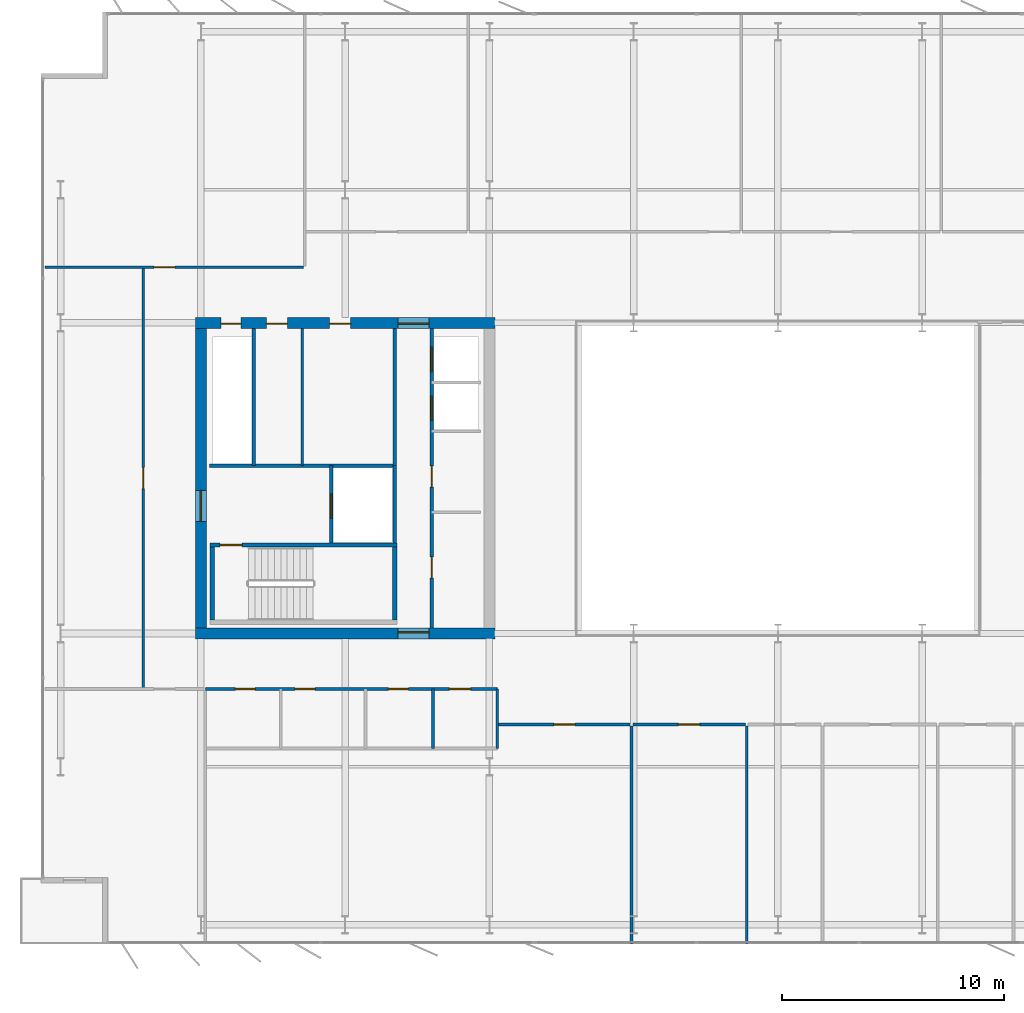
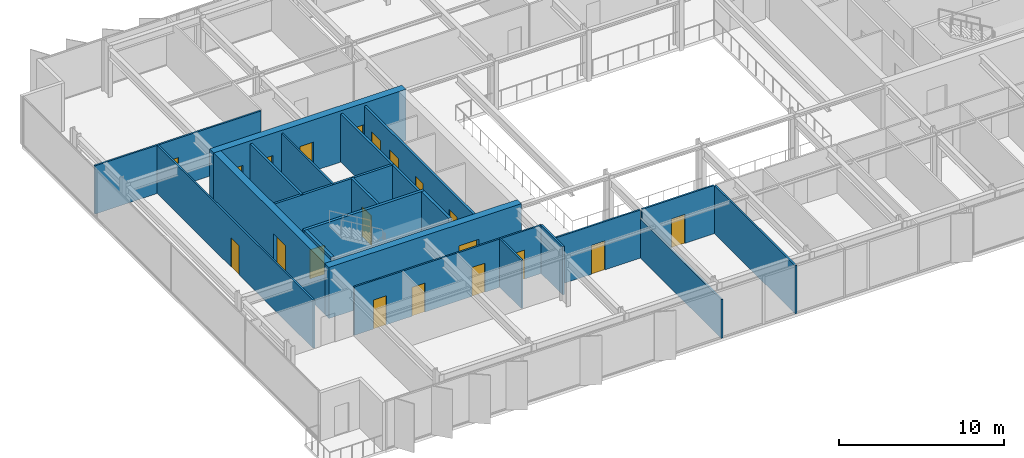
# One storey, part 17 of 24: 22 walls, 20 doors, 20 openings.
"""IFC4 building model written with IfcOpenShell, lengths in metres."""

from ifc_helpers import new_model, si_unit, direction, frame, frame_2d, origin, place, context, subcontext, project, spatial, rectangle, extrude, material, layer, layer_set, type_object, element, fill, save


model = new_model("IFC4")

# Units and contexts
model_context = context("Model", 3, precision=1e-05, world=origin(), true_north=direction((0.0, 1.0)))
body_context = subcontext(model_context, "Body", "Model", "MODEL_VIEW")
ifc_project = project(units=[si_unit("LENGTHUNIT", "METRE"), si_unit("AREAUNIT", "SQUARE_METRE"), si_unit("VOLUMEUNIT", "CUBIC_METRE"), si_unit("PLANEANGLEUNIT", "RADIAN"), si_unit("MASSUNIT", "GRAM", prefix="KILO")], contexts=[model_context])

# Site, building, storey
site_placement = place(None, origin())
site = spatial("IfcSite", under=ifc_project, at=site_placement, CompositionType="ELEMENT")
building_placement = place(site_placement, origin())
building = spatial("IfcBuilding", under=site, at=building_placement, Name="Putna Gate Headquarters", CompositionType="ELEMENT")
storey_placement = place(building_placement, frame((0.0, 0.0, 236.60009765625)))
storey = spatial("IfcBuildingStorey", under=building, at=storey_placement, Name="L59", CompositionType="ELEMENT", Elevation=236.60009765625)

# Wall, opening, door
ifc_material_1 = material(Name="Concrete C50/60", Category="concrete")
ifc_layer_1 = layer(ifc_material_1, 0.5)
ifc_layer_set_1 = layer_set([ifc_layer_1], Name="Concrete C50/60")
wall_type_1 = type_object("IfcWallType", Name="WALL-CORE-500", PredefinedType="SHEAR", material=ifc_layer_set_1)
wall_1_placement = place(storey_placement, frame((12.75, 19.0, 0.0), z_axis=(0.0, 0.0, 1.0), x_axis=(1.0, 0.0, 0.0)))
wall_1 = element("IfcWall", 1, at=wall_1_placement, inside=storey, type_object=wall_type_1, Name="L59 WC Split Core Shear Wall S", PredefinedType="SHEAR", context=body_context, shape_type="SweptSolid", body=[
    extrude(rectangle(XDim=13.5, YDim=0.5, at=frame_2d((6.75, 0.0))), origin(), (0.0, 0.0, 1.0), 3.7998046875),
])
opening_1_placement = place(wall_1_placement, frame((9.1298828125, 0.0, 0.0)))
opening_1 = element("IfcOpeningElement", 2, at=opening_1_placement, cuts=wall_1, Name="Opening FDD-140", PredefinedType="OPENING", context=body_context, shape_type="SweptSolid", body=[
    extrude(rectangle(XDim=1.39990234375, YDim=2.199951171875, at=frame_2d((0.699951171875, 1.10009765625))), frame((0.0, 0.260009765625, 0.0), z_axis=(0.0, -1.0, 0.0), x_axis=(1.0, 0.0, 0.0)), (0.0, 0.0, 1.0), 0.52001953125),
])
ifc_material_2 = material(Name="Double steel fire door", Category="steel")
door_type_1 = type_object("IfcDoorType", Name="DOOR-FIRE-DBL-1400", OperationType="DOUBLE_DOOR_SINGLE_SWING", PredefinedType="DOOR", material=ifc_material_2)
door_1_placement = place(opening_1_placement, origin())
door_1 = element("IfcDoor", 3, at=door_1_placement, inside=storey, type_object=door_type_1, Name="L59 West Lift Lobby South Door", OperationType="DOUBLE_DOOR_SINGLE_SWING", OverallHeight=2.199951171875, OverallWidth=1.39990234375, PredefinedType="DOOR", context=body_context, shape_type="SweptSolid", body=[
    extrude(rectangle(XDim=1.39990234375, YDim=2.199951171875, at=frame_2d((0.699951171875, 1.10009765625))), frame((0.0, 0.0751953125, 0.0), z_axis=(0.0, -1.0, 0.0), x_axis=(1.0, 0.0, 0.0)), (0.0, 0.0, 1.0), 0.050048828125),
])
fill(opening_1, door_1)

# Wall, openings, doors
wall_2_placement = place(storey_placement, frame((12.75, 33.0, 0.0), z_axis=(0.0, 0.0, 1.0), x_axis=(1.0, 0.0, 0.0)))
wall_2 = element("IfcWall", 4, at=wall_2_placement, inside=storey, type_object=wall_type_1, Name="L59 WC Split Core Shear Wall N", PredefinedType="SHEAR", context=body_context, shape_type="SweptSolid", body=[
    extrude(rectangle(XDim=13.5, YDim=0.5, at=frame_2d((6.75, 0.0))), origin(), (0.0, 0.0, 1.0), 3.7998046875),
])
opening_2_placement = place(wall_2_placement, frame((1.14990234375, 0.0, 0.0)))
opening_2 = element("IfcOpeningElement", 5, at=opening_2_placement, cuts=wall_2, Name="Opening RD-90", PredefinedType="OPENING", context=body_context, shape_type="SweptSolid", body=[
    extrude(rectangle(XDim=0.89990234375, YDim=2.14990234375, at=frame_2d((0.449951171875, 1.074951171875))), frame((0.0, 0.260009765625, 0.0), z_axis=(0.0, -1.0, 0.0), x_axis=(1.0, 0.0, 0.0)), (0.0, 0.0, 1.0), 0.52001953125),
])
opening_3_placement = place(wall_2_placement, frame((3.199951171875, 0.0, 0.0)))
opening_3 = element("IfcOpeningElement", 6, at=opening_3_placement, cuts=wall_2, Name="Opening IDS-95", PredefinedType="OPENING", context=body_context, shape_type="SweptSolid", body=[
    extrude(rectangle(XDim=0.949951171875, YDim=2.14990234375, at=frame_2d((0.47509765625, 1.074951171875))), frame((0.0, 0.260009765625, 0.0), z_axis=(0.0, -1.0, 0.0), x_axis=(1.0, 0.0, 0.0)), (0.0, 0.0, 1.0), 0.52001953125),
])
opening_4_placement = place(wall_2_placement, frame((6.050048828125, 0.0, 0.0)))
opening_4 = element("IfcOpeningElement", 7, at=opening_4_placement, cuts=wall_2, Name="Opening IDS-95", PredefinedType="OPENING", context=body_context, shape_type="SweptSolid", body=[
    extrude(rectangle(XDim=0.949951171875, YDim=2.14990234375, at=frame_2d((0.47509765625, 1.074951171875))), frame((0.0, 0.260009765625, 0.0), z_axis=(0.0, -1.0, 0.0), x_axis=(1.0, 0.0, 0.0)), (0.0, 0.0, 1.0), 0.52001953125),
])
opening_5_placement = place(wall_2_placement, frame((9.1298828125, 0.0, 0.0)))
opening_5 = element("IfcOpeningElement", 8, at=opening_5_placement, cuts=wall_2, Name="Opening FDD-140", PredefinedType="OPENING", context=body_context, shape_type="SweptSolid", body=[
    extrude(rectangle(XDim=1.39990234375, YDim=2.199951171875, at=frame_2d((0.699951171875, 1.10009765625))), frame((0.0, 0.260009765625, 0.0), z_axis=(0.0, -1.0, 0.0), x_axis=(1.0, 0.0, 0.0)), (0.0, 0.0, 1.0), 0.52001953125),
])
door_2_placement = place(opening_5_placement, origin())
door_2 = element("IfcDoor", 9, at=door_2_placement, inside=storey, type_object=door_type_1, Name="L59 West Lift Lobby North Door", OperationType="DOUBLE_DOOR_SINGLE_SWING", OverallHeight=2.199951171875, OverallWidth=1.39990234375, PredefinedType="DOOR", context=body_context, shape_type="SweptSolid", body=[
    extrude(rectangle(XDim=1.39990234375, YDim=2.199951171875, at=frame_2d((0.699951171875, 1.10009765625))), frame((0.0, -0.02490234375, 0.0), z_axis=(0.0, -1.0, 0.0), x_axis=(1.0, 0.0, 0.0)), (0.0, 0.0, 1.0), 0.050048828125),
])
fill(opening_5, door_2)
ifc_material_3 = material(Name="Fire-rated service timber door", Category="wood")
door_type_2 = type_object("IfcDoorType", Name="DOOR-INT-950", OperationType="NOTDEFINED", PredefinedType="DOOR", material=ifc_material_3)
door_3_placement = place(opening_3_placement, origin())
door_3 = element("IfcDoor", 10, at=door_3_placement, inside=storey, type_object=door_type_2, Name="L59 Archive Store Door", OperationType="SINGLE_SWING_LEFT", OverallHeight=2.14990234375, OverallWidth=0.949951171875, PredefinedType="DOOR", context=body_context, shape_type="SweptSolid", body=[
    extrude(rectangle(XDim=0.949951171875, YDim=2.14990234375, at=frame_2d((0.47509765625, 1.074951171875))), frame((0.0, -0.02490234375, 0.0), z_axis=(0.0, -1.0, 0.0), x_axis=(1.0, 0.0, 0.0)), (0.0, 0.0, 1.0), 0.050048828125),
])
fill(opening_3, door_3)
door_4_placement = place(opening_4_placement, origin())
door_4 = element("IfcDoor", 11, at=door_4_placement, inside=storey, type_object=door_type_2, Name="L59 Switchgear Plant Door", OperationType="SINGLE_SWING_RIGHT", OverallHeight=2.14990234375, OverallWidth=0.949951171875, PredefinedType="DOOR", context=body_context, shape_type="SweptSolid", body=[
    extrude(rectangle(XDim=0.949951171875, YDim=2.14990234375, at=frame_2d((0.47509765625, 1.074951171875))), frame((0.0, -0.02490234375, 0.0), z_axis=(0.0, -1.0, 0.0), x_axis=(1.0, 0.0, 0.0)), (0.0, 0.0, 1.0), 0.050048828125),
])
fill(opening_4, door_4)
ifc_material_4 = material(Name="Steel riser access fire door", Category="steel")
door_type_3 = type_object("IfcDoorType", Name="DOOR-RISER-900", OperationType="NOTDEFINED", PredefinedType="DOOR", material=ifc_material_4)
door_5_placement = place(opening_2_placement, origin())
door_5 = element("IfcDoor", 12, at=door_5_placement, inside=storey, type_object=door_type_3, Name="L59 West Riser Access Door", OperationType="SINGLE_SWING_RIGHT", OverallHeight=2.14990234375, OverallWidth=0.89990234375, PredefinedType="DOOR", context=body_context, shape_type="SweptSolid", body=[
    extrude(rectangle(XDim=0.89990234375, YDim=2.14990234375, at=frame_2d((0.449951171875, 1.074951171875))), frame((0.0, -0.02490234375, 0.0), z_axis=(0.0, -1.0, 0.0), x_axis=(1.0, 0.0, 0.0)), (0.0, 0.0, 1.0), 0.050048828125),
])
fill(opening_2, door_5)

# Wall, opening, door
wall_3_placement = place(storey_placement, frame((13.0, 19.25, 0.0), z_axis=(0.0, 0.0, 1.0), x_axis=(0.0, 1.0, 0.0)))
wall_3 = element("IfcWall", 13, at=wall_3_placement, inside=storey, type_object=wall_type_1, Name="L59 WC Split Core Shear Wall W", PredefinedType="SHEAR", context=body_context, shape_type="SweptSolid", body=[
    extrude(rectangle(XDim=13.5, YDim=0.5, at=frame_2d((6.75, 0.0))), origin(), (0.0, 0.0, 1.0), 3.7998046875),
])
opening_6_placement = place(wall_3_placement, frame((4.800048828125, 0.0, 0.0)))
opening_6 = element("IfcOpeningElement", 14, at=opening_6_placement, cuts=wall_3, Name="Opening FDD-140", PredefinedType="OPENING", context=body_context, shape_type="SweptSolid", body=[
    extrude(rectangle(XDim=1.39990234375, YDim=2.199951171875, at=frame_2d((0.699951171875, 1.10009765625))), frame((0.0, 0.260009765625, 0.0), z_axis=(0.0, -1.0, 0.0), x_axis=(1.0, 0.0, 0.0)), (0.0, 0.0, 1.0), 0.52001953125),
])
door_6_placement = place(opening_6_placement, origin())
door_6 = element("IfcDoor", 15, at=door_6_placement, inside=storey, type_object=door_type_1, Name="L59 West Firefighting Lobby Door", OperationType="DOUBLE_DOOR_SINGLE_SWING", OverallHeight=2.199951171875, OverallWidth=1.39990234375, PredefinedType="DOOR", context=body_context, shape_type="SweptSolid", body=[
    extrude(rectangle(XDim=1.39990234375, YDim=2.199951171875, at=frame_2d((0.699951171875, 1.10009765625))), frame((0.0, 0.02490234375, 0.0), z_axis=(0.0, -1.0, 0.0), x_axis=(1.0, 0.0, 0.0)), (0.0, 0.0, 1.0), 0.050048828125),
])
fill(opening_6, door_6)

# Walls
ifc_material_5 = material(Name="Acoustic gypsum board on metal stud")
ifc_layer_2 = layer(ifc_material_5, 0.1201171875)
ifc_layer_set_2 = layer_set([ifc_layer_2], Name="Acoustic gypsum board on metal stud")
wall_type_2 = type_object("IfcWallType", Name="WALL-PART-120", PredefinedType="PARTITIONING", material=ifc_layer_set_2)
wall_4_placement = place(storey_placement, frame((32.39990234375, 5.02001953125, 0.0), z_axis=(0.0, 0.0, 1.0), x_axis=(0.0, 1.0, 0.0)))
element("IfcWall", 16, at=wall_4_placement, inside=storey, type_object=wall_type_2, Name="L59 Interior Wall PART-L59-SB-DIV-02", PredefinedType="PARTITIONING", context=body_context, shape_type="SweptSolid", body=[
    extrude(rectangle(XDim=9.820068359375, YDim=0.1201171875, at=frame_2d((4.91015625, 0.0))), origin(), (0.0, 0.0, 1.0), 2.8798828125),
])
wall_5_placement = place(storey_placement, frame((37.58984375, 5.02001953125, 0.0), z_axis=(0.0, 0.0, 1.0), x_axis=(0.0, 1.0, 0.0)))
element("IfcWall", 17, at=wall_5_placement, inside=storey, type_object=wall_type_2, Name="L59 Interior Wall PART-L59-SB-DIV-03", PredefinedType="PARTITIONING", context=body_context, shape_type="SweptSolid", body=[
    extrude(rectangle(XDim=9.820068359375, YDim=0.1201171875, at=frame_2d((4.91015625, 0.0))), origin(), (0.0, 0.0, 1.0), 3.579833984375),
])
ifc_material_6 = material(Name="Fire-rated gypsum board on metal stud")
ifc_layer_3 = layer(ifc_material_6, 0.1201171875)
ifc_layer_set_3 = layer_set([ifc_layer_3], Name="Fire-rated gypsum board on metal stud")
wall_type_3 = type_object("IfcWallType", Name="WALL-PART-120-RATED", PredefinedType="PARTITIONING", material=ifc_layer_set_3)
wall_6_placement = place(storey_placement, frame((17.570068359375, 26.56005859375, 0.0), z_axis=(0.0, 0.0, 1.0), x_axis=(0.0, 1.0, 0.0)))
element("IfcWall", 18, at=wall_6_placement, inside=storey, type_object=wall_type_3, Name="L59 Interior Wall CWINT-L59-WC-K1-DIV", PredefinedType="PARTITIONING", context=body_context, shape_type="SweptSolid", body=[
    extrude(rectangle(XDim=6.18994140625, YDim=0.1201171875, at=frame_2d((3.094970703125, 0.0))), origin(), (0.0, 0.0, 1.0), 3.579833984375),
])

# Wall, openings, doors
wall_7_placement = place(storey_placement, frame((13.199951171875, 16.5, 0.0), z_axis=(0.0, 0.0, 1.0), x_axis=(1.0, 0.0, 0.0)))
wall_7 = element("IfcWall", 19, at=wall_7_placement, inside=storey, type_object=wall_type_3, Name="L59 Interior Wall PART-L59-SAN-CW", PredefinedType="PARTITIONING", context=body_context, shape_type="SweptSolid", body=[
    extrude(rectangle(XDim=13.16015625, YDim=0.1201171875, at=frame_2d((6.580078125, 0.0))), origin(), (0.0, 0.0, 1.0), 3.579833984375),
])
opening_7_placement = place(wall_7_placement, frame((1.35009765625, 0.0, 0.0)))
opening_7 = element("IfcOpeningElement", 20, at=opening_7_placement, cuts=wall_7, Name="Opening FD-90", PredefinedType="OPENING", context=body_context, shape_type="SweptSolid", body=[
    extrude(rectangle(XDim=0.89990234375, YDim=2.14990234375, at=frame_2d((0.449951171875, 1.074951171875))), frame((0.0, 0.070068359375, 0.0), z_axis=(0.0, -1.0, 0.0), x_axis=(1.0, 0.0, 0.0)), (0.0, 0.0, 1.0), 0.14013671875),
])
opening_8_placement = place(wall_7_placement, frame((4.050048828125, 0.0, 0.0)))
opening_8 = element("IfcOpeningElement", 21, at=opening_8_placement, cuts=wall_7, Name="Opening FD-90", PredefinedType="OPENING", context=body_context, shape_type="SweptSolid", body=[
    extrude(rectangle(XDim=0.89990234375, YDim=2.14990234375, at=frame_2d((0.449951171875, 1.074951171875))), frame((0.0, 0.070068359375, 0.0), z_axis=(0.0, -1.0, 0.0), x_axis=(1.0, 0.0, 0.0)), (0.0, 0.0, 1.0), 0.14013671875),
])
opening_9_placement = place(wall_7_placement, frame((8.25, 0.0, 0.0)))
opening_9 = element("IfcOpeningElement", 22, at=opening_9_placement, cuts=wall_7, Name="Opening FD-90", PredefinedType="OPENING", context=body_context, shape_type="SweptSolid", body=[
    extrude(rectangle(XDim=0.89990234375, YDim=2.14990234375, at=frame_2d((0.449951171875, 1.074951171875))), frame((0.0, 0.070068359375, 0.0), z_axis=(0.0, -1.0, 0.0), x_axis=(1.0, 0.0, 0.0)), (0.0, 0.0, 1.0), 0.14013671875),
])
opening_10_placement = place(wall_7_placement, frame((11.0, 0.0, 0.0)))
opening_10 = element("IfcOpeningElement", 23, at=opening_10_placement, cuts=wall_7, Name="Opening FD-95", PredefinedType="OPENING", context=body_context, shape_type="SweptSolid", body=[
    extrude(rectangle(XDim=0.949951171875, YDim=2.14990234375, at=frame_2d((0.47509765625, 1.074951171875))), frame((0.0, 0.070068359375, 0.0), z_axis=(0.0, -1.0, 0.0), x_axis=(1.0, 0.0, 0.0)), (0.0, 0.0, 1.0), 0.14013671875),
])
ifc_material_7 = material(Name="Acoustic washroom fire door")
door_type_4 = type_object("IfcDoorType", Name="DOOR-FIRE-900", OperationType="NOTDEFINED", PredefinedType="DOOR", material=ifc_material_7)
door_7_placement = place(opening_7_placement, origin())
door_7 = element("IfcDoor", 24, at=door_7_placement, inside=storey, type_object=door_type_4, Name="L59 Washroom Male Door", OperationType="SINGLE_SWING_RIGHT", OverallHeight=2.14990234375, OverallWidth=0.89990234375, PredefinedType="DOOR", context=body_context, shape_type="SweptSolid", body=[
    extrude(rectangle(XDim=0.89990234375, YDim=2.14990234375, at=frame_2d((0.449951171875, 1.074951171875))), frame((0.0, 0.02490234375, 0.0), z_axis=(0.0, -1.0, 0.0), x_axis=(1.0, 0.0, 0.0)), (0.0, 0.0, 1.0), 0.050048828125),
])
fill(opening_7, door_7)
door_8_placement = place(opening_8_placement, origin())
door_8 = element("IfcDoor", 25, at=door_8_placement, inside=storey, type_object=door_type_4, Name="L59 Washroom Female Door", OperationType="SINGLE_SWING_LEFT", OverallHeight=2.14990234375, OverallWidth=0.89990234375, PredefinedType="DOOR", context=body_context, shape_type="SweptSolid", body=[
    extrude(rectangle(XDim=0.89990234375, YDim=2.14990234375, at=frame_2d((0.449951171875, 1.074951171875))), frame((0.0, 0.02490234375, 0.0), z_axis=(0.0, -1.0, 0.0), x_axis=(1.0, 0.0, 0.0)), (0.0, 0.0, 1.0), 0.050048828125),
])
fill(opening_8, door_8)
door_9_placement = place(opening_9_placement, origin())
door_9 = element("IfcDoor", 26, at=door_9_placement, inside=storey, type_object=door_type_4, Name="L59 Accessible WC Door", OperationType="SINGLE_SWING_RIGHT", OverallHeight=2.14990234375, OverallWidth=0.89990234375, PredefinedType="DOOR", context=body_context, shape_type="SweptSolid", body=[
    extrude(rectangle(XDim=0.89990234375, YDim=2.14990234375, at=frame_2d((0.449951171875, 1.074951171875))), frame((0.0, 0.02490234375, 0.0), z_axis=(0.0, -1.0, 0.0), x_axis=(1.0, 0.0, 0.0)), (0.0, 0.0, 1.0), 0.050048828125),
])
fill(opening_9, door_9)
ifc_material_8 = material(Name="Acoustic timber fire door", Category="wood")
door_type_5 = type_object("IfcDoorType", Name="DOOR-FIRE-950", OperationType="NOTDEFINED", PredefinedType="DOOR", material=ifc_material_8)
door_10_placement = place(opening_10_placement, origin())
door_10 = element("IfcDoor", 27, at=door_10_placement, inside=storey, type_object=door_type_5, Name="L59 Staff Pantry and Tea Point Door", OperationType="SINGLE_SWING_LEFT", OverallHeight=2.14990234375, OverallWidth=0.949951171875, PredefinedType="DOOR", context=body_context, shape_type="SweptSolid", body=[
    extrude(rectangle(XDim=0.949951171875, YDim=2.14990234375, at=frame_2d((0.47509765625, 1.074951171875))), frame((0.0, 0.02490234375, 0.0), z_axis=(0.0, -1.0, 0.0), x_axis=(1.0, 0.0, 0.0)), (0.0, 0.0, 1.0), 0.050048828125),
])
fill(opening_10, door_10)

# Walls
for number, where, z_axis, x_axis, name in (
    (28, (23.4599609375, 13.820068359375, 0.0), (0.0, 0.0, 1.0), (0.0, 1.0, 0.0), "L59 Interior Wall PART-L59-SAN-DIV-3"),
    (29, (26.360107421875, 13.820068359375, 0.0), (0.0, 0.0, 1.0), (0.0, 1.0, 0.0), "L59 Interior Wall PART-L59-SAN-DIV-4"),
):
    element("IfcWall", number, at=place(storey_placement, frame(where, z_axis=z_axis, x_axis=x_axis)), inside=storey, type_object=wall_type_3, Name=name, PredefinedType="PARTITIONING", context=body_context, shape_type="SweptSolid", body=[
        extrude(rectangle(XDim=2.679931640625, YDim=0.1201171875, at=frame_2d((1.33984375, 0.0))), origin(), (0.0, 0.0, 1.0), 3.579833984375),
    ])

# Wall, opening, door
wall_8_placement = place(storey_placement, frame((5.97998046875, 35.5, 0.0), z_axis=(0.0, 0.0, 1.0), x_axis=(1.0, 0.0, 0.0)))
wall_8 = element("IfcWall", 30, at=wall_8_placement, inside=storey, type_object=wall_type_3, Name="L59 Interior Wall PART-L59-NB-CW-01", PredefinedType="PARTITIONING", context=body_context, shape_type="SweptSolid", body=[
    extrude(rectangle(XDim=11.642333984375, YDim=0.1201171875, at=frame_2d((5.8212890625, 0.0))), origin(), (0.0, 0.0, 1.0), 3.579833984375),
])
opening_11_placement = place(wall_8_placement, frame((4.89990234375, 0.0, 0.0)))
opening_11 = element("IfcOpeningElement", 31, at=opening_11_placement, cuts=wall_8, Name="Opening FD-95", PredefinedType="OPENING", context=body_context, shape_type="SweptSolid", body=[
    extrude(rectangle(XDim=0.949951171875, YDim=2.14990234375, at=frame_2d((0.47509765625, 1.074951171875))), frame((0.0, 0.070068359375, 0.0), z_axis=(0.0, -1.0, 0.0), x_axis=(1.0, 0.0, 0.0)), (0.0, 0.0, 1.0), 0.14013671875),
])
door_11_placement = place(opening_11_placement, origin())
door_11 = element("IfcDoor", 32, at=door_11_placement, inside=storey, type_object=door_type_5, Name="L59 Cellular Office 7 Door", OperationType="SINGLE_SWING_RIGHT", OverallHeight=2.14990234375, OverallWidth=0.949951171875, PredefinedType="DOOR", context=body_context, shape_type="SweptSolid", body=[
    extrude(rectangle(XDim=0.949951171875, YDim=2.14990234375, at=frame_2d((0.47509765625, 1.074951171875))), frame((0.0, 0.02490234375, 0.0), z_axis=(0.0, -1.0, 0.0), x_axis=(1.0, 0.0, 0.0)), (0.0, 0.0, 1.0), 0.050048828125),
])
fill(opening_11, door_11)

wall_9_placement = place(storey_placement, frame((26.419921875, 14.89990234375, 0.0), z_axis=(0.0, 0.0, 1.0), x_axis=(1.0, 0.0, 0.0)))
wall_9 = element("IfcWall", 33, at=wall_9_placement, inside=storey, type_object=wall_type_3, Name="L59 Interior Wall PART-L59-SB-CW-02", PredefinedType="PARTITIONING", context=body_context, shape_type="SweptSolid", body=[
    extrude(rectangle(XDim=5.920166015625, YDim=0.1201171875, at=frame_2d((2.9599609375, 0.0))), origin(), (0.0, 0.0, 1.0), 3.579833984375),
])
opening_12_placement = place(wall_9_placement, frame((2.485107421875, 0.0, 0.0)))
opening_12 = element("IfcOpeningElement", 34, at=opening_12_placement, cuts=wall_9, Name="Opening FD-95", PredefinedType="OPENING", context=body_context, shape_type="SweptSolid", body=[
    extrude(rectangle(XDim=0.949951171875, YDim=2.14990234375, at=frame_2d((0.47509765625, 1.074951171875))), frame((0.0, 0.070068359375, 0.0), z_axis=(0.0, -1.0, 0.0), x_axis=(1.0, 0.0, 0.0)), (0.0, 0.0, 1.0), 0.14013671875),
])
door_12_placement = place(opening_12_placement, origin())
door_12 = element("IfcDoor", 35, at=door_12_placement, inside=storey, type_object=door_type_5, Name="L59 Primary Open Office Workplace Door", OperationType="SINGLE_SWING_LEFT", OverallHeight=2.14990234375, OverallWidth=0.949951171875, PredefinedType="DOOR", context=body_context, shape_type="SweptSolid", body=[
    extrude(rectangle(XDim=0.949951171875, YDim=2.14990234375, at=frame_2d((0.47509765625, 1.074951171875))), frame((0.0, 0.02490234375, 0.0), z_axis=(0.0, -1.0, 0.0), x_axis=(1.0, 0.0, 0.0)), (0.0, 0.0, 1.0), 0.050048828125),
])
fill(opening_12, door_12)

wall_10_placement = place(storey_placement, frame((32.4599609375, 14.89990234375, 0.0), z_axis=(0.0, 0.0, 1.0), x_axis=(1.0, 0.0, 0.0)))
wall_10 = element("IfcWall", 36, at=wall_10_placement, inside=storey, type_object=wall_type_3, Name="L59 Interior Wall PART-L59-SB-CW-03", PredefinedType="PARTITIONING", context=body_context, shape_type="SweptSolid", body=[
    extrude(rectangle(XDim=5.06982421875, YDim=0.1201171875, at=frame_2d((2.534912109375, 0.0))), origin(), (0.0, 0.0, 1.0), 3.579833984375),
])
opening_13_placement = place(wall_10_placement, frame((2.059814453125, 0.0, 0.0)))
opening_13 = element("IfcOpeningElement", 37, at=opening_13_placement, cuts=wall_10, Name="Opening FD-95", PredefinedType="OPENING", context=body_context, shape_type="SweptSolid", body=[
    extrude(rectangle(XDim=0.949951171875, YDim=2.14990234375, at=frame_2d((0.47509765625, 1.074951171875))), frame((0.0, 0.070068359375, 0.0), z_axis=(0.0, -1.0, 0.0), x_axis=(1.0, 0.0, 0.0)), (0.0, 0.0, 1.0), 0.14013671875),
])
door_13_placement = place(opening_13_placement, origin())
door_13 = element("IfcDoor", 38, at=door_13_placement, inside=storey, type_object=door_type_5, Name="L59 Quiet Wellness Focus Studio 1 Door", OperationType="SINGLE_SWING_RIGHT", OverallHeight=2.14990234375, OverallWidth=0.949951171875, PredefinedType="DOOR", context=body_context, shape_type="SweptSolid", body=[
    extrude(rectangle(XDim=0.949951171875, YDim=2.14990234375, at=frame_2d((0.47509765625, 1.074951171875))), frame((0.0, 0.02490234375, 0.0), z_axis=(0.0, -1.0, 0.0), x_axis=(1.0, 0.0, 0.0)), (0.0, 0.0, 1.0), 0.050048828125),
])
fill(opening_13, door_13)

wall_11_placement = place(storey_placement, frame((10.39990234375, 16.5, 0.0), z_axis=(0.0, 0.0, 1.0), x_axis=(0.0, 1.0, 0.0)))
wall_11 = element("IfcWall", 39, at=wall_11_placement, inside=storey, type_object=wall_type_3, Name="L59 Interior Wall PART-L59-WW-CW-1", PredefinedType="PARTITIONING", context=body_context, shape_type="SweptSolid", body=[
    extrude(rectangle(XDim=19.0, YDim=0.1201171875, at=frame_2d((9.5, 0.0))), origin(), (0.0, 0.0, 1.0), 3.579833984375),
])
opening_14_placement = place(wall_11_placement, frame((9.02490234375, 0.0, 0.0)))
opening_14 = element("IfcOpeningElement", 40, at=opening_14_placement, cuts=wall_11, Name="Opening FD-95", PredefinedType="OPENING", context=body_context, shape_type="SweptSolid", body=[
    extrude(rectangle(XDim=0.949951171875, YDim=2.14990234375, at=frame_2d((0.47509765625, 1.074951171875))), frame((0.0, 0.070068359375, 0.0), z_axis=(0.0, -1.0, 0.0), x_axis=(1.0, 0.0, 0.0)), (0.0, 0.0, 1.0), 0.14013671875),
])
door_14_placement = place(opening_14_placement, origin())
door_14 = element("IfcDoor", 41, at=door_14_placement, inside=storey, type_object=door_type_5, Name="L59 West Project Meeting Room 1 Door", OperationType="SINGLE_SWING_LEFT", OverallHeight=2.14990234375, OverallWidth=0.949951171875, PredefinedType="DOOR", context=body_context, shape_type="SweptSolid", body=[
    extrude(rectangle(XDim=0.949951171875, YDim=2.14990234375, at=frame_2d((0.47509765625, 1.074951171875))), frame((0.0, 0.02490234375, 0.0), z_axis=(0.0, -1.0, 0.0), x_axis=(1.0, 0.0, 0.0)), (0.0, 0.0, 1.0), 0.050048828125),
])
fill(opening_14, door_14)

# Wall
ifc_material_9 = material(Name="Concrete C40/50", Category="concrete")
ifc_layer_4 = layer(ifc_material_9, 0.159912109375)
ifc_layer_set_4 = layer_set([ifc_layer_4], Name="Concrete C40/50")
wall_type_4 = type_object("IfcWallType", Name="WALL-SHAFT-160", PredefinedType="STANDARD", material=ifc_layer_set_4)
wall_12_placement = place(storey_placement, frame((21.739990234375, 23.090087890625, 0.0), z_axis=(0.0, 0.0, 1.0), x_axis=(0.0, 1.0, 0.0)))
element("IfcWall", 42, at=wall_12_placement, inside=storey, type_object=wall_type_4, Name="L59 Interior Wall CWINT-L59-WC-FFL-E", PredefinedType="STANDARD", context=body_context, shape_type="SweptSolid", body=[
    extrude(rectangle(XDim=3.469970703125, YDim=0.159912109375, at=frame_2d((1.73486328125, 0.0))), origin(), (0.0, 0.0, 1.0), 3.579833984375),
])

# Wall, opening, door
wall_13_placement = place(storey_placement, frame((18.8798828125, 23.090087890625, 0.0), z_axis=(0.0, 0.0, 1.0), x_axis=(0.0, 1.0, 0.0)))
wall_13 = element("IfcWall", 43, at=wall_13_placement, inside=storey, type_object=wall_type_4, Name="L59 Interior Wall CWINT-L59-WC-LF13-W", PredefinedType="STANDARD", context=body_context, shape_type="SweptSolid", body=[
    extrude(rectangle(XDim=3.469970703125, YDim=0.159912109375, at=frame_2d((1.73486328125, 0.0))), origin(), (0.0, 0.0, 1.0), 3.579833984375),
])
opening_15_placement = place(wall_13_placement, frame((1.10009765625, 0.0, 0.0)))
opening_15 = element("IfcOpeningElement", 44, at=opening_15_placement, cuts=wall_13, Name="Opening LD-1", PredefinedType="OPENING", context=body_context, shape_type="SweptSolid", body=[
    extrude(rectangle(XDim=1.10009765625, YDim=2.199951171875, at=frame_2d((0.550048828125, 1.10009765625))), frame((0.0, 0.08984375, 0.0), z_axis=(0.0, -1.0, 0.0), x_axis=(1.0, 0.0, 0.0)), (0.0, 0.0, 1.0), 0.179931640625),
])
ifc_material_10 = material(Name="Brushed bronze stainless lift landing door")
door_type_6 = type_object("IfcDoorType", Name="DOOR-LIFT-1100", OperationType="DOUBLE_DOOR_SLIDING", PredefinedType="DOOR", material=ifc_material_10)
door_15_placement = place(opening_15_placement, origin())
door_15 = element("IfcDoor", 45, at=door_15_placement, inside=storey, type_object=door_type_6, Name="L59 Lift Landing Door LD-13", OperationType="DOUBLE_DOOR_SLIDING", OverallHeight=2.199951171875, OverallWidth=1.10009765625, PredefinedType="DOOR", context=body_context, shape_type="SweptSolid", body=[
    extrude(rectangle(XDim=1.10009765625, YDim=2.199951171875, at=frame_2d((0.550048828125, 1.10009765625))), frame((0.0, 0.02490234375, 0.0), z_axis=(0.0, -1.0, 0.0), x_axis=(1.0, 0.0, 0.0)), (0.0, 0.0, 1.0), 0.050048828125),
])
fill(opening_15, door_15)

# Walls
wall_14_placement = place(storey_placement, frame((13.39990234375, 26.56005859375, 0.0), z_axis=(0.0, 0.0, 1.0), x_axis=(1.0, 0.0, 0.0)))
element("IfcWall", 46, at=wall_14_placement, inside=storey, type_object=wall_type_4, Name="L59 Interior Wall CWINT-L59-WC-FFL-N", PredefinedType="STANDARD", context=body_context, shape_type="SweptSolid", body=[
    extrude(rectangle(XDim=8.340087890625, YDim=0.159912109375, at=frame_2d((4.169921875, 0.0))), origin(), (0.0, 0.0, 1.0), 3.579833984375),
])
for number, where, z_axis, x_axis, name in (
    (47, (15.3798828125, 26.56005859375, 0.0), (0.0, 0.0, 1.0), (0.0, 1.0, 0.0), "L59 Interior Wall CWINT-L59-WC-RISER-E"),
    (48, (21.739990234375, 26.56005859375, 0.0), (0.0, 0.0, 1.0), (0.0, 1.0, 0.0), "L59 Interior Wall CWINT-L59-WC-LOB-W"),
):
    element("IfcWall", number, at=place(storey_placement, frame(where, z_axis=z_axis, x_axis=x_axis)), inside=storey, type_object=wall_type_4, Name=name, PredefinedType="STANDARD", context=body_context, shape_type="SweptSolid", body=[
        extrude(rectangle(XDim=6.18994140625, YDim=0.159912109375, at=frame_2d((3.094970703125, 0.0))), origin(), (0.0, 0.0, 1.0), 3.579833984375),
    ])

# Wall, openings, doors
wall_15_placement = place(storey_placement, frame((23.39990234375, 19.25, 0.0), z_axis=(0.0, 0.0, 1.0), x_axis=(0.0, 1.0, 0.0)))
wall_15 = element("IfcWall", 49, at=wall_15_placement, inside=storey, type_object=wall_type_4, Name="L59 Interior Wall CWINT-L59-WC-PL-WALL", PredefinedType="STANDARD", context=body_context, shape_type="SweptSolid", body=[
    extrude(rectangle(XDim=13.5, YDim=0.159912109375, at=frame_2d((6.75, 0.0))), origin(), (0.0, 0.0, 1.0), 3.579833984375),
])
opening_16_placement = place(wall_15_placement, frame((2.25, 0.0, 0.0)))
opening_16 = element("IfcOpeningElement", 50, at=opening_16_placement, cuts=wall_15, Name="Opening IDS-95", PredefinedType="OPENING", context=body_context, shape_type="SweptSolid", body=[
    extrude(rectangle(XDim=0.949951171875, YDim=2.14990234375, at=frame_2d((0.47509765625, 1.074951171875))), frame((0.0, 0.08984375, 0.0), z_axis=(0.0, -1.0, 0.0), x_axis=(1.0, 0.0, 0.0)), (0.0, 0.0, 1.0), 0.179931640625),
])
opening_17_placement = place(wall_15_placement, frame((6.35009765625, 0.0, 0.0)))
opening_17 = element("IfcOpeningElement", 51, at=opening_17_placement, cuts=wall_15, Name="Opening IDS-95", PredefinedType="OPENING", context=body_context, shape_type="SweptSolid", body=[
    extrude(rectangle(XDim=0.949951171875, YDim=2.14990234375, at=frame_2d((0.47509765625, 1.074951171875))), frame((0.0, 0.08984375, 0.0), z_axis=(0.0, -1.0, 0.0), x_axis=(1.0, 0.0, 0.0)), (0.0, 0.0, 1.0), 0.179931640625),
])
opening_18_placement = place(wall_15_placement, frame((9.35009765625, 0.0, 0.0)))
opening_18 = element("IfcOpeningElement", 52, at=opening_18_placement, cuts=wall_15, Name="Opening LD-1", PredefinedType="OPENING", context=body_context, shape_type="SweptSolid", body=[
    extrude(rectangle(XDim=1.10009765625, YDim=2.199951171875, at=frame_2d((0.550048828125, 1.10009765625))), frame((0.0, 0.08984375, 0.0), z_axis=(0.0, -1.0, 0.0), x_axis=(1.0, 0.0, 0.0)), (0.0, 0.0, 1.0), 0.179931640625),
])
opening_19_placement = place(wall_15_placement, frame((11.550048828125, 0.0, 0.0)))
opening_19 = element("IfcOpeningElement", 53, at=opening_19_placement, cuts=wall_15, Name="Opening LD-1", PredefinedType="OPENING", context=body_context, shape_type="SweptSolid", body=[
    extrude(rectangle(XDim=1.10009765625, YDim=2.199951171875, at=frame_2d((0.550048828125, 1.10009765625))), frame((0.0, 0.08984375, 0.0), z_axis=(0.0, -1.0, 0.0), x_axis=(1.0, 0.0, 0.0)), (0.0, 0.0, 1.0), 0.179931640625),
])
door_16_placement = place(opening_16_placement, origin())
door_16 = element("IfcDoor", 54, at=door_16_placement, inside=storey, type_object=door_type_2, Name="L59 Tenant IT Hub Door", OperationType="SINGLE_SWING_LEFT", OverallHeight=2.14990234375, OverallWidth=0.949951171875, PredefinedType="DOOR", context=body_context, shape_type="SweptSolid", body=[
    extrude(rectangle(XDim=0.949951171875, YDim=2.14990234375, at=frame_2d((0.47509765625, 1.074951171875))), frame((0.0, 0.02490234375, 0.0), z_axis=(0.0, -1.0, 0.0), x_axis=(1.0, 0.0, 0.0)), (0.0, 0.0, 1.0), 0.050048828125),
])
fill(opening_16, door_16)
door_17_placement = place(opening_17_placement, origin())
door_17 = element("IfcDoor", 55, at=door_17_placement, inside=storey, type_object=door_type_2, Name="L59 Records Vault Door", OperationType="SINGLE_SWING_RIGHT", OverallHeight=2.14990234375, OverallWidth=0.949951171875, PredefinedType="DOOR", context=body_context, shape_type="SweptSolid", body=[
    extrude(rectangle(XDim=0.949951171875, YDim=2.14990234375, at=frame_2d((0.47509765625, 1.074951171875))), frame((0.0, 0.02490234375, 0.0), z_axis=(0.0, -1.0, 0.0), x_axis=(1.0, 0.0, 0.0)), (0.0, 0.0, 1.0), 0.050048828125),
])
fill(opening_17, door_17)
door_18_placement = place(opening_18_placement, origin())
door_18 = element("IfcDoor", 56, at=door_18_placement, inside=storey, type_object=door_type_6, Name="L59 Lift Landing Door LD-09", OperationType="DOUBLE_DOOR_SLIDING", OverallHeight=2.199951171875, OverallWidth=1.10009765625, PredefinedType="DOOR", context=body_context, shape_type="SweptSolid", body=[
    extrude(rectangle(XDim=1.10009765625, YDim=2.199951171875, at=frame_2d((0.550048828125, 1.10009765625))), frame((0.0, 0.02490234375, 0.0), z_axis=(0.0, -1.0, 0.0), x_axis=(1.0, 0.0, 0.0)), (0.0, 0.0, 1.0), 0.050048828125),
])
fill(opening_18, door_18)
door_19_placement = place(opening_19_placement, origin())
door_19 = element("IfcDoor", 57, at=door_19_placement, inside=storey, type_object=door_type_6, Name="L59 Lift Landing Door LD-10", OperationType="DOUBLE_DOOR_SLIDING", OverallHeight=2.199951171875, OverallWidth=1.10009765625, PredefinedType="DOOR", context=body_context, shape_type="SweptSolid", body=[
    extrude(rectangle(XDim=1.10009765625, YDim=2.199951171875, at=frame_2d((0.550048828125, 1.10009765625))), frame((0.0, 0.02490234375, 0.0), z_axis=(0.0, -1.0, 0.0), x_axis=(1.0, 0.0, 0.0)), (0.0, 0.0, 1.0), 0.050048828125),
])
fill(opening_19, door_19)

# Wall, opening, door
ifc_layer_5 = layer(ifc_material_9, 0.199951171875)
ifc_layer_set_5 = layer_set([ifc_layer_5], Name="Concrete C40/50")
wall_type_5 = type_object("IfcWallType", Name="WALL-SHAFT-RC200", PredefinedType="SHEAR", material=ifc_layer_set_5)
wall_16_placement = place(storey_placement, frame((13.409912109375, 22.989990234375, 0.0), z_axis=(0.0, 0.0, 1.0), x_axis=(1.0, 0.0, 0.0)))
wall_16 = element("IfcWall", 58, at=wall_16_placement, inside=storey, type_object=wall_type_5, Name="L59 Stair ST1 Structural Shaft Wall N", PredefinedType="SHEAR", context=body_context, shape_type="SweptSolid", body=[
    extrude(rectangle(XDim=8.43017578125, YDim=0.199951171875, at=frame_2d((4.215087890625, 0.0))), origin(), (0.0, 0.0, 1.0), 3.7998046875),
])
opening_20_placement = place(wall_16_placement, frame((0.449951171875, 0.0, 0.0)))
opening_20 = element("IfcOpeningElement", 59, at=opening_20_placement, cuts=wall_16, Name="Opening FD-100", PredefinedType="OPENING", context=body_context, shape_type="SweptSolid", body=[
    extrude(rectangle(XDim=1.0, YDim=2.14990234375, at=frame_2d((0.5, 1.074951171875))), frame((0.0, 0.10986328125, 0.0), z_axis=(0.0, -1.0, 0.0), x_axis=(1.0, 0.0, 0.0)), (0.0, 0.0, 1.0), 0.219970703125),
])
ifc_material_11 = material(Name="Powder-coated steel fire door", Category="steel")
door_type_7 = type_object("IfcDoorType", Name="DOOR-FIRE-1000", OperationType="NOTDEFINED", PredefinedType="DOOR", material=ifc_material_11)
door_20_placement = place(opening_20_placement, origin())
door_20 = element("IfcDoor", 60, at=door_20_placement, inside=storey, type_object=door_type_7, Name="L59 Stair ST1 Fire Door", OperationType="SINGLE_SWING_LEFT", OverallHeight=2.14990234375, OverallWidth=1.0, PredefinedType="DOOR", context=body_context, shape_type="SweptSolid", body=[
    extrude(rectangle(XDim=1.0, YDim=2.14990234375, at=frame_2d((0.5, 1.074951171875))), frame((0.0, 0.02490234375, 0.0), z_axis=(0.0, -1.0, 0.0), x_axis=(1.0, 0.0, 0.0)), (0.0, 0.0, 1.0), 0.050048828125),
])
fill(opening_20, door_20)

# Walls
for number, where, z_axis, x_axis, name in (
    (61, (13.510009765625, 19.610107421875, 0.0), (0.0, 0.0, 1.0), (0.0, 1.0, 0.0), "L59 Stair ST1 Structural Shaft Wall W"),
    (62, (21.739990234375, 19.610107421875, 0.0), (0.0, 0.0, 1.0), (0.0, 1.0, 0.0), "L59 Stair ST1 Structural Shaft Wall E"),
):
    element("IfcWall", number, at=place(storey_placement, frame(where, z_axis=z_axis, x_axis=x_axis)), inside=storey, type_object=wall_type_5, Name=name, PredefinedType="SHEAR", context=body_context, shape_type="SweptSolid", body=[
        extrude(rectangle(XDim=3.27978515625, YDim=0.199951171875, at=frame_2d((1.639892578125, 0.0))), origin(), (0.0, 0.0, 1.0), 3.7998046875),
    ])

save(model, "model.ifc")
